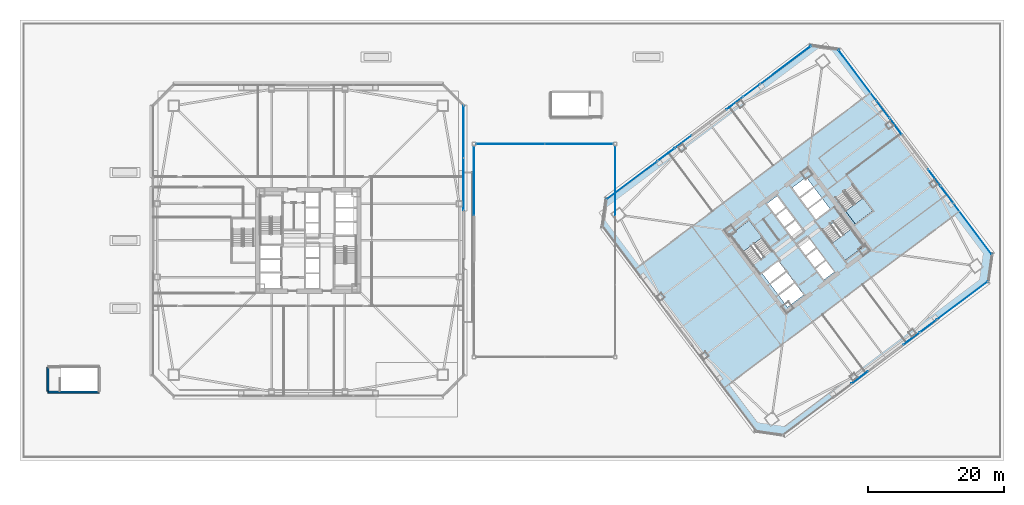
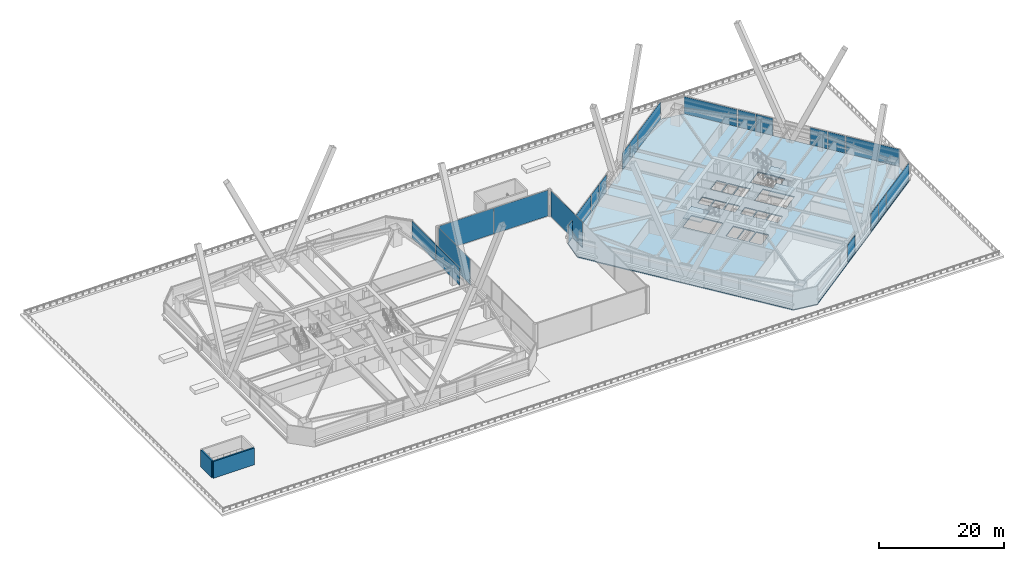
# One storey, part 67 of 83: 22 plates, 4 slabs, 2 walls, 18 elements without a shape of their own.
"""IFC4 building model written with IfcOpenShell, lengths in metres."""

from ifc_helpers import new_model, si_unit, direction, frame, frame_2d, origin, origin_2d, place, context, subcontext, project, spatial, polyline, rectangle, outline, extrude, material, layer, layer_set, type_object, element, aggregate, save


model = new_model("IFC4")

# Units and contexts
model_context = context("Model", 3, precision=1e-05, world=origin(), true_north=direction((0.0, 1.0)))
body_context = subcontext(model_context, "Body", "Model", "MODEL_VIEW")
ifc_project = project(units=[si_unit("LENGTHUNIT", "METRE"), si_unit("AREAUNIT", "SQUARE_METRE"), si_unit("VOLUMEUNIT", "CUBIC_METRE"), si_unit("PLANEANGLEUNIT", "RADIAN"), si_unit("MASSUNIT", "GRAM", prefix="KILO")], contexts=[model_context])

# Site, building, storey
site_placement = place(None, origin())
site = spatial("IfcSite", under=ifc_project, at=site_placement, CompositionType="ELEMENT")
building_placement = place(site_placement, origin())
building = spatial("IfcBuilding", under=site, at=building_placement, Name="Tashvorn Skyway Center", CompositionType="ELEMENT")
storey_placement = place(building_placement, frame((0.0, 0.0, 24.60009765625)))
storey = spatial("IfcBuildingStorey", under=building, at=storey_placement, Name="L05", CompositionType="ELEMENT", Elevation=24.60009765625)

# Curtain wall, plate
ifc_material_1 = material(Name="Thermally broken bronze-anodized aluminium 6063-T6", Category="aluminium")
curtain_wall_type_1 = type_object("IfcCurtainWallType", Name="CW-CW-SKY", PredefinedType="NOTDEFINED", material=ifc_material_1)
curtain_wall_1_placement = place(storey_placement, origin())
curtain_wall_1 = element("IfcCurtainWall", 1, at=curtain_wall_1_placement, inside=storey, type_object=curtain_wall_type_1, Name="Station Concourse Monitor West Clerestory Curtain Wall Glazing Group 3", PredefinedType="NOTDEFINED")
ifc_material_2 = material(Name="Low-E solar-control double insulating safety glass", Category="glass")
ifc_layer_1 = layer(ifc_material_2, 0.028076171875)
ifc_layer_set_1 = layer_set([ifc_layer_1], Name="Low-E solar-control double insulating safety glass")
plate_type_1 = type_object("IfcPlateType", Name="CWP-CW-SKY", PredefinedType="CURTAIN_PANEL", material=ifc_layer_set_1)
plate_1_placement = place(storey_placement, frame((66.39990234375, 40.7666015625, 0.06494140625), z_axis=(0.0, 0.0, 1.0), x_axis=(0.0, 1.0, 0.0)))
plate_1 = element("IfcPlate", 2, at=plate_1_placement, type_object=plate_type_1, Name="CW-SKY panel 1.1", PredefinedType="CURTAIN_PANEL", context=body_context, shape_type="SweptSolid", body=[
    extrude(rectangle(XDim=10.13671875, YDim=0.028076171875, at=origin_2d()), origin(), (0.0, 0.0, 1.0), 5.070068359375),
])
aggregate(curtain_wall_1, [plate_1])

curtain_wall_2_placement = place(storey_placement, origin())
curtain_wall_2 = element("IfcCurtainWall", 3, at=curtain_wall_2_placement, inside=storey, type_object=curtain_wall_type_1, Name="Station Concourse Monitor East Clerestory Curtain Wall", PredefinedType="NOTDEFINED")
plate_2_placement = place(storey_placement, frame((87.199951171875, 40.75048828125, 0.06494140625), z_axis=(0.0, 0.0, 1.0), x_axis=(0.0, -1.0, 0.0)))
plate_2 = element("IfcPlate", 4, at=plate_2_placement, type_object=plate_type_1, Name="CW-SKY panel 1.1", PredefinedType="CURTAIN_PANEL", context=body_context, shape_type="SweptSolid", body=[
    extrude(rectangle(XDim=10.169189453125, YDim=0.028076171875, at=origin_2d()), origin(), (0.0, 0.0, 1.0), 5.070068359375),
])
aggregate(curtain_wall_2, [plate_2])

# Curtain wall, plates
curtain_wall_3_placement = place(storey_placement, origin())
curtain_wall_3 = element("IfcCurtainWall", 5, at=curtain_wall_3_placement, inside=storey, type_object=curtain_wall_type_1, Name="Station Concourse Monitor North Clerestory Curtain Wall", PredefinedType="NOTDEFINED")
plate_3_placement = place(storey_placement, frame((71.766357421875, 46.199951171875, 0.06494140625), z_axis=(0.0, 0.0, 1.0), x_axis=(1.0, 0.0, 0.0)))
plate_3 = element("IfcPlate", 6, at=plate_3_placement, type_object=plate_type_1, Name="CW-SKY panel 1.1", PredefinedType="CURTAIN_PANEL", context=body_context, shape_type="SweptSolid", body=[
    extrude(rectangle(XDim=10.00244140625, YDim=0.028076171875, at=origin_2d()), origin(), (0.0, 0.0, 1.0), 5.070068359375),
])
plate_4_placement = place(storey_placement, frame((81.833740234375, 46.199951171875, 0.06494140625), z_axis=(0.0, 0.0, 1.0), x_axis=(1.0, 0.0, 0.0)))
plate_4 = element("IfcPlate", 7, at=plate_4_placement, type_object=plate_type_1, Name="CW-SKY panel 2.1", PredefinedType="CURTAIN_PANEL", context=body_context, shape_type="SweptSolid", body=[
    extrude(rectangle(XDim=10.00244140625, YDim=0.028076171875, at=origin_2d()), origin(), (0.0, 0.0, 1.0), 5.070068359375),
])
aggregate(curtain_wall_3, [plate_3, plate_4])

curtain_wall_type_2 = type_object("IfcCurtainWallType", Name="CW-CW-Z1", PredefinedType="NOTDEFINED", material=ifc_material_1)
curtain_wall_4_placement = place(storey_placement, origin())
curtain_wall_4 = element("IfcCurtainWall", 8, at=curtain_wall_4_placement, inside=storey, type_object=curtain_wall_type_2, Name="Tower 1 L05 East Curtain Wall L", PredefinedType="NOTDEFINED")
ifc_layer_2 = layer(ifc_material_2, 0.048095703125)
ifc_layer_set_2 = layer_set([ifc_layer_2], Name="Low-E solar-control double insulating safety glass")
plate_type_2 = type_object("IfcPlateType", Name="CWP-CW-Z1", PredefinedType="CURTAIN_PANEL", material=ifc_layer_set_2)
plate_5_placement = place(storey_placement, frame((64.8798828125, 47.976318359375, 0.0849609375), z_axis=(0.0, 0.0, 1.0), x_axis=(0.0, -1.0, 0.0)))
plate_5 = element("IfcPlate", 9, at=plate_5_placement, type_object=plate_type_2, Name="CW-Z1 panel 1.1", PredefinedType="CURTAIN_PANEL", context=body_context, shape_type="SweptSolid", body=[
    extrude(rectangle(XDim=7.637451171875, YDim=0.048095703125, at=origin_2d()), origin(), (0.0, 0.0, 1.0), 3.3798828125),
])
plate_6_placement = place(storey_placement, frame((64.8798828125, 40.253662109375, 0.0849609375), z_axis=(0.0, 0.0, 1.0), x_axis=(0.0, -1.0, 0.0)))
plate_6 = element("IfcPlate", 10, at=plate_6_placement, type_object=plate_type_2, Name="CW-Z1 panel 2.1", PredefinedType="CURTAIN_PANEL", context=body_context, shape_type="SweptSolid", body=[
    extrude(rectangle(XDim=7.637451171875, YDim=0.048095703125, at=origin_2d()), origin(), (0.0, 0.0, 1.0), 3.3798828125),
])
aggregate(curtain_wall_4, [plate_5, plate_6])

# Curtain wall, plate
curtain_wall_5_placement = place(storey_placement, origin())
curtain_wall_5 = element("IfcCurtainWall", 11, at=curtain_wall_5_placement, inside=storey, type_object=curtain_wall_type_2, Name="Tower 2 L05 South Unitised Curtain Wall Glazing Group 1", PredefinedType="NOTDEFINED")
plate_7_placement = place(storey_placement, frame((138.3359375, 23.152099609375, 0.0849609375), z_axis=(0.0, 0.0, 1.0), x_axis=(-0.799999999998, -0.600000000002, 0.0)))
plate_7 = element("IfcPlate", 12, at=plate_7_placement, type_object=plate_type_2, Name="CW-Z1 panel 1.1", PredefinedType="CURTAIN_PANEL", context=body_context, shape_type="SweptSolid", body=[
    extrude(rectangle(XDim=9.27001953125, YDim=0.048095703125, at=origin_2d()), origin(), (0.0, 0.0, 1.0), 3.3798828125),
])
aggregate(curtain_wall_5, [plate_7])

# Curtain wall, plates
curtain_wall_6_placement = place(storey_placement, origin())
curtain_wall_6 = element("IfcCurtainWall", 13, at=curtain_wall_6_placement, inside=storey, type_object=curtain_wall_type_2, Name="Tower 2 L05 South Unitised Curtain Wall Glazing Group 2", PredefinedType="NOTDEFINED")
plate_8_placement = place(storey_placement, frame((133.284423828125, 19.36328125, 0.0849609375), z_axis=(0.0, 0.0, 1.0), x_axis=(-0.800001906763, -0.599997457641, 0.0)))
plate_8 = element("IfcPlate", 14, at=plate_8_placement, type_object=plate_type_2, Name="CW-Z1 panel 1.1", PredefinedType="CURTAIN_PANEL", context=body_context, shape_type="SweptSolid", body=[
    extrude(rectangle(XDim=3.019287109375, YDim=0.048095703125, at=origin_2d()), origin(), (0.0, 0.0, 1.0), 3.3798828125),
])
plate_9_placement = place(storey_placement, frame((130.801025390625, 17.500732421875, 0.0849609375), z_axis=(0.0, 0.0, 1.0), x_axis=(-0.800001906763, -0.599997457641, 0.0)))
plate_9 = element("IfcPlate", 15, at=plate_9_placement, type_object=plate_type_2, Name="CW-Z1 panel 2.1", PredefinedType="CURTAIN_PANEL", context=body_context, shape_type="SweptSolid", body=[
    extrude(rectangle(XDim=3.019287109375, YDim=0.048095703125, at=origin_2d()), origin(), (0.0, 0.0, 1.0), 3.3798828125),
])
aggregate(curtain_wall_6, [plate_8, plate_9])

# Curtain wall, plate
curtain_wall_7_placement = place(storey_placement, origin())
curtain_wall_7 = element("IfcCurtainWall", 16, at=curtain_wall_7_placement, inside=storey, type_object=curtain_wall_type_2, Name="Tower 2 L05 South Unitised Curtain Wall Glazing Group 3", PredefinedType="NOTDEFINED")
plate_10_placement = place(storey_placement, frame((123.215087890625, 11.811279296875, 0.0849609375), z_axis=(0.0, 0.0, 1.0), x_axis=(-0.800001906763, -0.599997457641, 0.0)))
plate_10 = element("IfcPlate", 17, at=plate_10_placement, type_object=plate_type_2, Name="CW-Z1 panel 1.1", PredefinedType="CURTAIN_PANEL", context=body_context, shape_type="SweptSolid", body=[
    extrude(rectangle(XDim=3.019287109375, YDim=0.048095703125, at=origin_2d()), origin(), (0.0, 0.0, 1.0), 3.3798828125),
])
aggregate(curtain_wall_7, [plate_10])

curtain_wall_8_placement = place(storey_placement, origin())
curtain_wall_8 = element("IfcCurtainWall", 18, at=curtain_wall_8_placement, inside=storey, type_object=curtain_wall_type_2, Name="Tower 2 L05 North Unitised Curtain Wall Glazing Group 1", PredefinedType="NOTDEFINED")
plate_11_placement = place(storey_placement, frame((89.6640625, 40.847900390625, 0.0849609375), z_axis=(0.0, 0.0, 1.0), x_axis=(0.799999999998, 0.600000000002, 0.0)))
plate_11 = element("IfcPlate", 19, at=plate_11_placement, type_object=plate_type_2, Name="CW-Z1 panel 1.1", PredefinedType="CURTAIN_PANEL", context=body_context, shape_type="SweptSolid", body=[
    extrude(rectangle(XDim=9.27001953125, YDim=0.048095703125, at=origin_2d()), origin(), (0.0, 0.0, 1.0), 3.3798828125),
])
aggregate(curtain_wall_8, [plate_11])

# Curtain wall, plates
curtain_wall_9_placement = place(storey_placement, origin())
curtain_wall_9 = element("IfcCurtainWall", 20, at=curtain_wall_9_placement, inside=storey, type_object=curtain_wall_type_2, Name="Tower 2 L05 North Unitised Curtain Wall Glazing Group 2", PredefinedType="NOTDEFINED")
plate_12_placement = place(storey_placement, frame((94.715576171875, 44.63671875, 0.0849609375), z_axis=(0.0, 0.0, 1.0), x_axis=(0.800001906763, 0.599997457641, 0.0)))
plate_12 = element("IfcPlate", 21, at=plate_12_placement, type_object=plate_type_2, Name="CW-Z1 panel 1.1", PredefinedType="CURTAIN_PANEL", context=body_context, shape_type="SweptSolid", body=[
    extrude(rectangle(XDim=3.019287109375, YDim=0.048095703125, at=origin_2d()), origin(), (0.0, 0.0, 1.0), 3.3798828125),
])
plate_13_placement = place(storey_placement, frame((97.198974609375, 46.499267578125, 0.0849609375), z_axis=(0.0, 0.0, 1.0), x_axis=(0.800001906763, 0.599997457641, 0.0)))
plate_13 = element("IfcPlate", 22, at=plate_13_placement, type_object=plate_type_2, Name="CW-Z1 panel 2.1", PredefinedType="CURTAIN_PANEL", context=body_context, shape_type="SweptSolid", body=[
    extrude(rectangle(XDim=3.019287109375, YDim=0.048095703125, at=origin_2d()), origin(), (0.0, 0.0, 1.0), 3.3798828125),
])
aggregate(curtain_wall_9, [plate_12, plate_13])

curtain_wall_10_placement = place(storey_placement, origin())
curtain_wall_10 = element("IfcCurtainWall", 23, at=curtain_wall_10_placement, inside=storey, type_object=curtain_wall_type_2, Name="Tower 2 L05 North Unitised Curtain Wall Glazing Group 3", PredefinedType="NOTDEFINED")
plate_14_placement = place(storey_placement, frame((104.784912109375, 52.188720703125, 0.0849609375), z_axis=(0.0, 0.0, 1.0), x_axis=(0.800001906763, 0.599997457641, 0.0)))
plate_14 = element("IfcPlate", 24, at=plate_14_placement, type_object=plate_type_2, Name="CW-Z1 panel 1.1", PredefinedType="CURTAIN_PANEL", context=body_context, shape_type="SweptSolid", body=[
    extrude(rectangle(XDim=3.019287109375, YDim=0.048095703125, at=origin_2d()), origin(), (0.0, 0.0, 1.0), 3.3798828125),
])
plate_15_placement = place(storey_placement, frame((107.268310546875, 54.05126953125, 0.0849609375), z_axis=(0.0, 0.0, 1.0), x_axis=(0.800001906763, 0.599997457641, 0.0)))
plate_15 = element("IfcPlate", 25, at=plate_15_placement, type_object=plate_type_2, Name="CW-Z1 panel 2.1", PredefinedType="CURTAIN_PANEL", context=body_context, shape_type="SweptSolid", body=[
    extrude(rectangle(XDim=3.019287109375, YDim=0.048095703125, at=origin_2d()), origin(), (0.0, 0.0, 1.0), 3.3798828125),
])
aggregate(curtain_wall_10, [plate_14, plate_15])

# Curtain wall, plate
curtain_wall_11_placement = place(storey_placement, origin())
curtain_wall_11 = element("IfcCurtainWall", 26, at=curtain_wall_11_placement, inside=storey, type_object=curtain_wall_type_2, Name="Tower 2 L05 North Unitised Curtain Wall Glazing Group 4", PredefinedType="NOTDEFINED")
plate_16_placement = place(storey_placement, frame((112.320068359375, 57.840087890625, 0.0849609375), z_axis=(0.0, 0.0, 1.0), x_axis=(0.799999999998, 0.600000000002, 0.0)))
plate_16 = element("IfcPlate", 27, at=plate_16_placement, type_object=plate_type_2, Name="CW-Z1 panel 1.1", PredefinedType="CURTAIN_PANEL", context=body_context, shape_type="SweptSolid", body=[
    extrude(rectangle(XDim=9.27001953125, YDim=0.048095703125, at=origin_2d()), origin(), (0.0, 0.0, 1.0), 3.3798828125),
])
aggregate(curtain_wall_11, [plate_16])

curtain_wall_12_placement = place(storey_placement, origin())
curtain_wall_12 = element("IfcCurtainWall", 28, at=curtain_wall_12_placement, inside=storey, type_object=curtain_wall_type_2, Name="Tower 2 L05 East Unitised Curtain Wall Glazing Group 1", PredefinedType="NOTDEFINED")
plate_17_placement = place(storey_placement, frame((122.847900390625, 56.3359375, 0.0849609375), z_axis=(0.0, 0.0, 1.0), x_axis=(0.600000000002, -0.799999999998, 0.0)))
plate_17 = element("IfcPlate", 29, at=plate_17_placement, type_object=plate_type_2, Name="CW-Z1 panel 1.1", PredefinedType="CURTAIN_PANEL", context=body_context, shape_type="SweptSolid", body=[
    extrude(rectangle(XDim=9.27001953125, YDim=0.048095703125, at=origin_2d()), origin(), (0.0, 0.0, 1.0), 3.3798828125),
])
aggregate(curtain_wall_12, [plate_17])

# Curtain wall, plates
curtain_wall_13_placement = place(storey_placement, origin())
curtain_wall_13 = element("IfcCurtainWall", 30, at=curtain_wall_13_placement, inside=storey, type_object=curtain_wall_type_2, Name="Tower 2 L05 East Unitised Curtain Wall Glazing Group 2", PredefinedType="NOTDEFINED")
plate_18_placement = place(storey_placement, frame((126.63671875, 51.284423828125, 0.0849609375), z_axis=(0.0, 0.0, 1.0), x_axis=(0.599997457641, -0.800001906763, 0.0)))
plate_18 = element("IfcPlate", 31, at=plate_18_placement, type_object=plate_type_2, Name="CW-Z1 panel 1.1", PredefinedType="CURTAIN_PANEL", context=body_context, shape_type="SweptSolid", body=[
    extrude(rectangle(XDim=3.019287109375, YDim=0.048095703125, at=origin_2d()), origin(), (0.0, 0.0, 1.0), 3.3798828125),
])
plate_19_placement = place(storey_placement, frame((128.499267578125, 48.801025390625, 0.0849609375), z_axis=(0.0, 0.0, 1.0), x_axis=(0.599997457641, -0.800001906763, 0.0)))
plate_19 = element("IfcPlate", 32, at=plate_19_placement, type_object=plate_type_2, Name="CW-Z1 panel 2.1", PredefinedType="CURTAIN_PANEL", context=body_context, shape_type="SweptSolid", body=[
    extrude(rectangle(XDim=3.019287109375, YDim=0.048095703125, at=origin_2d()), origin(), (0.0, 0.0, 1.0), 3.3798828125),
])
aggregate(curtain_wall_13, [plate_18, plate_19])

curtain_wall_14_placement = place(storey_placement, origin())
curtain_wall_14 = element("IfcCurtainWall", 33, at=curtain_wall_14_placement, inside=storey, type_object=curtain_wall_type_2, Name="Tower 2 L05 East Unitised Curtain Wall Glazing Group 3", PredefinedType="NOTDEFINED")
plate_20_placement = place(storey_placement, frame((134.188720703125, 41.215087890625, 0.0849609375), z_axis=(0.0, 0.0, 1.0), x_axis=(0.599997457641, -0.800001906763, 0.0)))
plate_20 = element("IfcPlate", 34, at=plate_20_placement, type_object=plate_type_2, Name="CW-Z1 panel 1.1", PredefinedType="CURTAIN_PANEL", context=body_context, shape_type="SweptSolid", body=[
    extrude(rectangle(XDim=3.019287109375, YDim=0.048095703125, at=origin_2d()), origin(), (0.0, 0.0, 1.0), 3.3798828125),
])
plate_21_placement = place(storey_placement, frame((136.05126953125, 38.731689453125, 0.0849609375), z_axis=(0.0, 0.0, 1.0), x_axis=(0.599997457641, -0.800001906763, 0.0)))
plate_21 = element("IfcPlate", 35, at=plate_21_placement, type_object=plate_type_2, Name="CW-Z1 panel 2.1", PredefinedType="CURTAIN_PANEL", context=body_context, shape_type="SweptSolid", body=[
    extrude(rectangle(XDim=3.019287109375, YDim=0.048095703125, at=origin_2d()), origin(), (0.0, 0.0, 1.0), 3.3798828125),
])
aggregate(curtain_wall_14, [plate_20, plate_21])

# Curtain wall, plate
curtain_wall_15_placement = place(storey_placement, origin())
curtain_wall_15 = element("IfcCurtainWall", 36, at=curtain_wall_15_placement, inside=storey, type_object=curtain_wall_type_2, Name="Tower 2 L05 East Unitised Curtain Wall Glazing Group 4", PredefinedType="NOTDEFINED")
plate_22_placement = place(storey_placement, frame((139.840087890625, 33.679931640625, 0.0849609375), z_axis=(0.0, 0.0, 1.0), x_axis=(0.600000000002, -0.799999999998, 0.0)))
plate_22 = element("IfcPlate", 37, at=plate_22_placement, type_object=plate_type_2, Name="CW-Z1 panel 1.1", PredefinedType="CURTAIN_PANEL", context=body_context, shape_type="SweptSolid", body=[
    extrude(rectangle(XDim=9.27001953125, YDim=0.048095703125, at=origin_2d()), origin(), (0.0, 0.0, 1.0), 3.3798828125),
])
aggregate(curtain_wall_15, [plate_22])

# Slab
ifc_material_3 = material(Name="Concrete C40/50", Category="concrete")
ifc_layer_3 = layer(ifc_material_3, 0.199951171875)
ifc_layer_set_3 = layer_set([ifc_layer_3], Name="Concrete C40/50")
slab_type_1 = type_object("IfcSlabType", Name="SLAB-FLR-200", PredefinedType="FLOOR", material=ifc_layer_set_3)
slab_1_placement = place(storey_placement, frame((0.0, 0.0, -0.2001953125)))
element("IfcSlab", 38, at=slab_1_placement, inside=storey, type_object=slab_type_1, Name="Tower 2 L05 Composite Floor Slab", PredefinedType="FLOOR", context=body_context, shape_type="SweptSolid", body=[
    extrude(outline(polyline([(112.0400390625, 3.280029296875), (142.1201171875, 25.840087890625), (142.719970703125, 30.0400390625), (120.159912109375, 60.1201171875), (115.9599609375, 60.719970703125), (85.8798828125, 38.159912109375), (85.280029296875, 33.9599609375), (107.840087890625, 3.8798828125), (112.0400390625, 3.280029296875)]), holes=[polyline([(110.23193359375, 30.52392578125), (106.919921875, 34.93994140625), (104.135986328125, 32.85205078125), (107.447998046875, 28.43603515625), (110.23193359375, 30.52392578125)]), polyline([(117.76806640625, 33.47607421875), (121.080078125, 29.06005859375), (123.864013671875, 31.14794921875), (120.552001953125, 35.56396484375), (117.76806640625, 33.47607421875)]), polyline([(119.7119140625, 38.18408203125), (122.5439453125, 34.407958984375), (125.10400390625, 36.327880859375), (122.27197265625, 40.10400390625), (119.7119140625, 38.18408203125)]), polyline([(109.949951171875, 25.64990234375), (112.35009765625, 27.449951171875), (111.239990234375, 28.929931640625), (108.840087890625, 27.1298828125), (109.949951171875, 25.64990234375)]), polyline([(111.14990234375, 24.050048828125), (113.550048828125, 25.85009765625), (112.43994140625, 27.330078125), (110.0400390625, 25.530029296875), (111.14990234375, 24.050048828125)]), polyline([(112.56005859375, 22.169921875), (114.9599609375, 23.969970703125), (113.669921875, 25.68994140625), (111.27001953125, 23.889892578125), (112.56005859375, 22.169921875)]), polyline([(117.919921875, 26.18994140625), (119.43994140625, 27.330078125), (118.2099609375, 28.969970703125), (116.68994140625, 27.830078125), (117.919921875, 26.18994140625)]), polyline([(116.570068359375, 27.989990234375), (118.090087890625, 29.1298828125), (116.860107421875, 30.77001953125), (115.340087890625, 29.6298828125), (116.570068359375, 27.989990234375)]), polyline([(115.219970703125, 29.7900390625), (116.739990234375, 30.929931640625), (115.510009765625, 32.570068359375), (113.989990234375, 31.429931640625), (115.219970703125, 29.7900390625)]), polyline([(113.449951171875, 32.14990234375), (114.969970703125, 33.2900390625), (113.739990234375, 34.929931640625), (112.219970703125, 33.7900390625), (113.449951171875, 32.14990234375)]), polyline([(112.10009765625, 33.949951171875), (113.6201171875, 35.090087890625), (112.389892578125, 36.72998046875), (110.8701171875, 35.590087890625), (112.10009765625, 33.949951171875)]), polyline([(110.75, 35.75), (112.27001953125, 36.889892578125), (111.0400390625, 38.530029296875), (109.52001953125, 37.389892578125), (110.75, 35.75)]), polyline([(116.760009765625, 35.070068359375), (118.840087890625, 36.6298828125), (117.72998046875, 38.110107421875), (115.64990234375, 36.550048828125), (116.760009765625, 35.070068359375)]), polyline([(115.530029296875, 36.7099609375), (117.610107421875, 38.27001953125), (116.5, 39.75), (114.419921875, 38.18994140625), (115.530029296875, 36.7099609375)]), polyline([(114.300048828125, 38.35009765625), (116.3798828125, 39.909912109375), (115.330078125, 41.31005859375), (113.25, 39.75), (114.300048828125, 38.35009765625)])]), origin(), (0.0, 0.0, 1.0), 0.2001953125),
])

# Stair, slab
stair_type = type_object("IfcStairType", Name="STAIR-CORE-1500", PredefinedType="HALF_TURN_STAIR", material=ifc_material_3)
stair_1_placement = place(storey_placement, origin())
stair_1 = element("IfcStair", 39, at=stair_1_placement, inside=storey, type_object=stair_type, Name="L05 Tower 2 Exit Stair 1", PredefinedType="HALF_TURN_STAIR")
ifc_layer_4 = layer(ifc_material_3, 0.199951171875)
ifc_layer_set_4 = layer_set([ifc_layer_4], Name="Concrete C40/50")
slab_type_2 = type_object("IfcSlabType", Name="SLAB-LAND-200", PredefinedType="LANDING", material=ifc_layer_set_4)
slab_2_placement = place(storey_placement, frame((0.0, 0.0, 1.574951171875)))
slab_2 = element("IfcSlab", 40, at=slab_2_placement, type_object=slab_type_2, Name="ST-T2-1 landing 1", PredefinedType="LANDING", context=body_context, shape_type="SweptSolid", body=[
    extrude(outline(polyline([(108.82080078125, 32.405517578125), (106.919921875, 34.93994140625), (104.135986328125, 32.85205078125), (106.036865234375, 30.317626953125), (108.82080078125, 32.405517578125)])), origin(), (0.0, 0.0, 1.0), 0.199951171875),
])
aggregate(stair_1, [slab_2])

stair_2_placement = place(storey_placement, origin())
stair_2 = element("IfcStair", 41, at=stair_2_placement, inside=storey, type_object=stair_type, Name="L05 Tower 2 Exit Stair 2", PredefinedType="HALF_TURN_STAIR")
slab_3_placement = place(storey_placement, frame((0.0, 0.0, 1.574951171875)))
slab_3 = element("IfcSlab", 42, at=slab_3_placement, type_object=slab_type_2, Name="ST-T2-2 landing 1", PredefinedType="LANDING", context=body_context, shape_type="SweptSolid", body=[
    extrude(outline(polyline([(119.17919921875, 31.594482421875), (121.080078125, 29.06005859375), (123.864013671875, 31.14794921875), (121.963134765625, 33.682373046875), (119.17919921875, 31.594482421875)])), origin(), (0.0, 0.0, 1.0), 0.199951171875),
])
aggregate(stair_2, [slab_3])

stair_3_placement = place(storey_placement, origin())
stair_3 = element("IfcStair", 43, at=stair_3_placement, inside=storey, type_object=stair_type, Name="L05 Tower 2 Exit Stair 3", PredefinedType="HALF_TURN_STAIR")
slab_4_placement = place(storey_placement, frame((0.0, 0.0, 1.574951171875)))
slab_4 = element("IfcSlab", 44, at=slab_4_placement, type_object=slab_type_2, Name="ST-T2-3 landing 1", PredefinedType="LANDING", context=body_context, shape_type="SweptSolid", body=[
    extrude(outline(polyline([(121.123291015625, 36.302490234375), (122.5439453125, 34.407958984375), (125.10400390625, 36.327880859375), (123.68310546875, 38.222412109375), (121.123291015625, 36.302490234375)])), origin(), (0.0, 0.0, 1.0), 0.199951171875),
])
aggregate(stair_3, [slab_4])

# Walls
ifc_material_4 = material(Name="Precast concrete C40/50", Category="concrete")
ifc_layer_5 = layer(ifc_material_4, 0.280029296875)
ifc_layer_set_5 = layer_set([ifc_layer_5], Name="Precast concrete C40/50")
wall_type = type_object("IfcWallType", Name="WALL-PH-280", PredefinedType="SOLIDWALL", material=ifc_layer_set_5)
wall_1_placement = place(storey_placement, frame((11.25, 9.64990234375, 0.0), z_axis=(0.0, 0.0, 1.0), x_axis=(-1.0, 0.0, 0.0)))
element("IfcWall", 45, at=wall_1_placement, inside=storey, type_object=wall_type, Name="L05 POD1 Stair Penthouse South Wall", PredefinedType="SOLIDWALL", context=body_context, shape_type="SweptSolid", body=[
    extrude(rectangle(XDim=7.60009765625, YDim=0.280029296875, at=frame_2d((3.800048828125, 0.0))), origin(), (0.0, 0.0, 1.0), 3.2998046875),
])
wall_2_placement = place(storey_placement, frame((3.64990234375, 9.7900390625, 0.0), z_axis=(0.0, 0.0, 1.0), x_axis=(0.0, 1.0, 0.0)))
element("IfcWall", 46, at=wall_2_placement, inside=storey, type_object=wall_type, Name="L05 POD1 Stair Penthouse West Wall", PredefinedType="SOLIDWALL", context=body_context, shape_type="SweptSolid", body=[
    extrude(rectangle(XDim=3.52001953125, YDim=0.280029296875, at=frame_2d((1.760009765625, 0.0))), origin(), (0.0, 0.0, 1.0), 3.2998046875),
])

save(model, "model.ifc")
